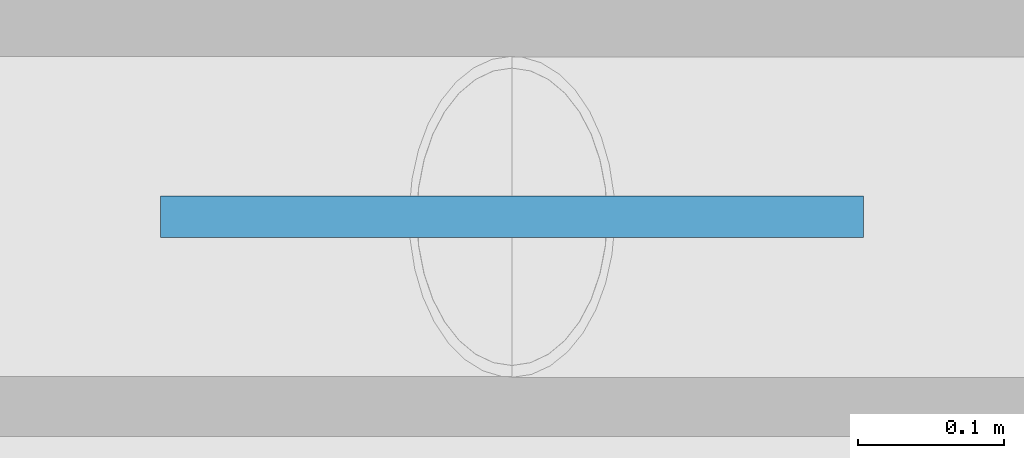
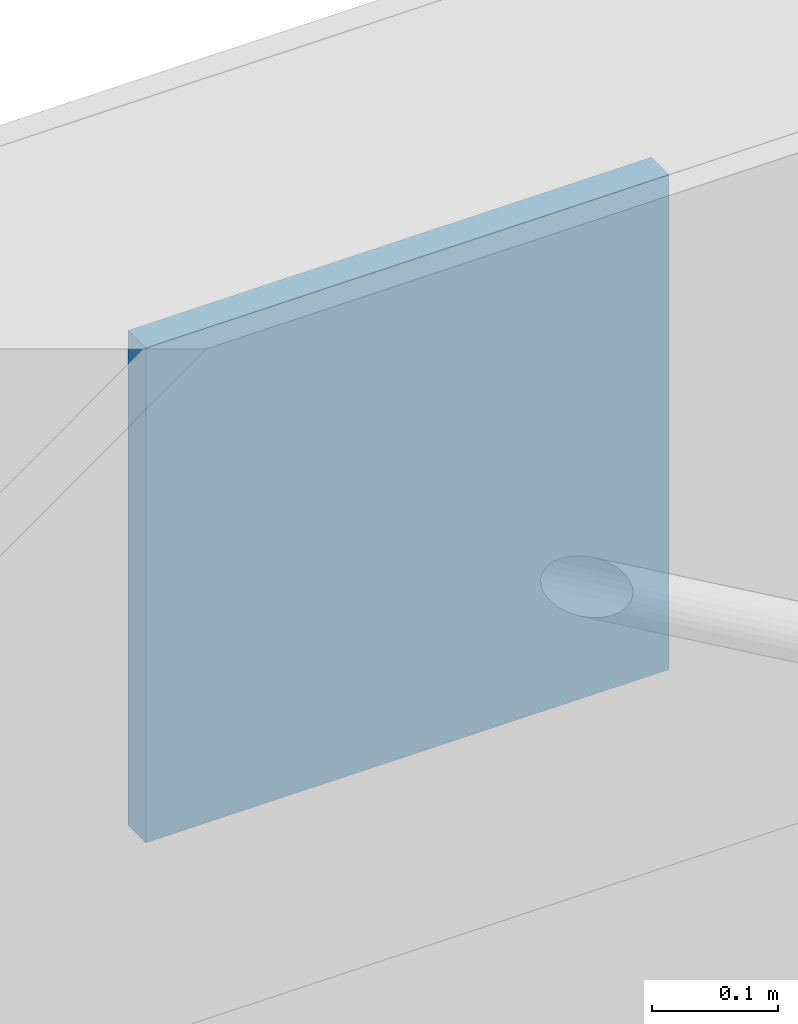
# One storey, part 6 of 13: 1 plate.
"""IFC4 building model written with IfcOpenShell, lengths in metres."""

from ifc_helpers import new_model, si_unit, direction, frame, origin, origin_2d, place, context, subcontext, project, spatial, rectangle, extrude, material, layer, layer_set, type_object, element, save


model = new_model("IFC4")

# Units and contexts
model_context = context("Model", 3, precision=1e-05, world=origin(), true_north=direction((0.0, 1.0)))
body_context = subcontext(model_context, "Body", "Model", "MODEL_VIEW")
ifc_project = project(units=[si_unit("LENGTHUNIT", "METRE"), si_unit("AREAUNIT", "SQUARE_METRE"), si_unit("VOLUMEUNIT", "CUBIC_METRE"), si_unit("PLANEANGLEUNIT", "RADIAN"), si_unit("MASSUNIT", "GRAM", prefix="KILO")], contexts=[model_context])

# Site, building, storey
site_placement = place(None, origin())
site = spatial("IfcSite", under=ifc_project, at=site_placement, CompositionType="ELEMENT")
building_placement = place(site_placement, origin())
building = spatial("IfcBuilding", under=site, at=building_placement, Name="Chengyuan Square Courthouse", CompositionType="ELEMENT")
storey_placement = place(building_placement, frame((0.0, 0.0, 64.5)))
storey = spatial("IfcBuildingStorey", under=building, at=storey_placement, Name="L15", CompositionType="ELEMENT", Elevation=64.5)

# Plate
ifc_material = material(Name="Steel Q355B", Category="steel")
ifc_layer = layer(ifc_material, 0.028076171875)
ifc_layer_set = layer_set([ifc_layer], Name="Steel Q355B")
plate_type = type_object("IfcPlateType", Name="GP-02", PredefinedType="SHEET", material=ifc_layer_set)
plate_placement = place(storey_placement, frame((63.0, 108.0, 3.360107421875), z_axis=(0.0, 0.0, 1.0), x_axis=(1.0, 0.0, 0.0)))
element("IfcPlate", 1, at=plate_placement, inside=storey, type_object=plate_type, Name="Brace Gusset Plate GP-L15-07", PredefinedType="SHEET", context=body_context, shape_type="SweptSolid", body=[
    extrude(rectangle(XDim=0.47998046875, YDim=0.028076171875, at=origin_2d()), origin(), (0.0, 0.0, 1.0), 0.47998046875),
])

save(model, "model.ifc")
